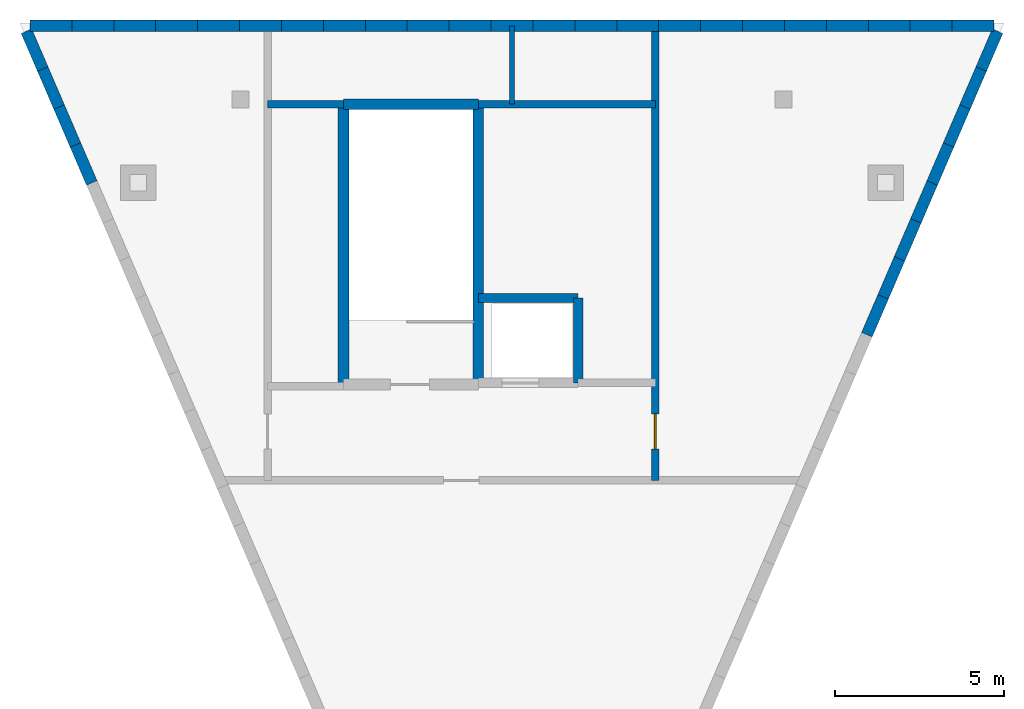
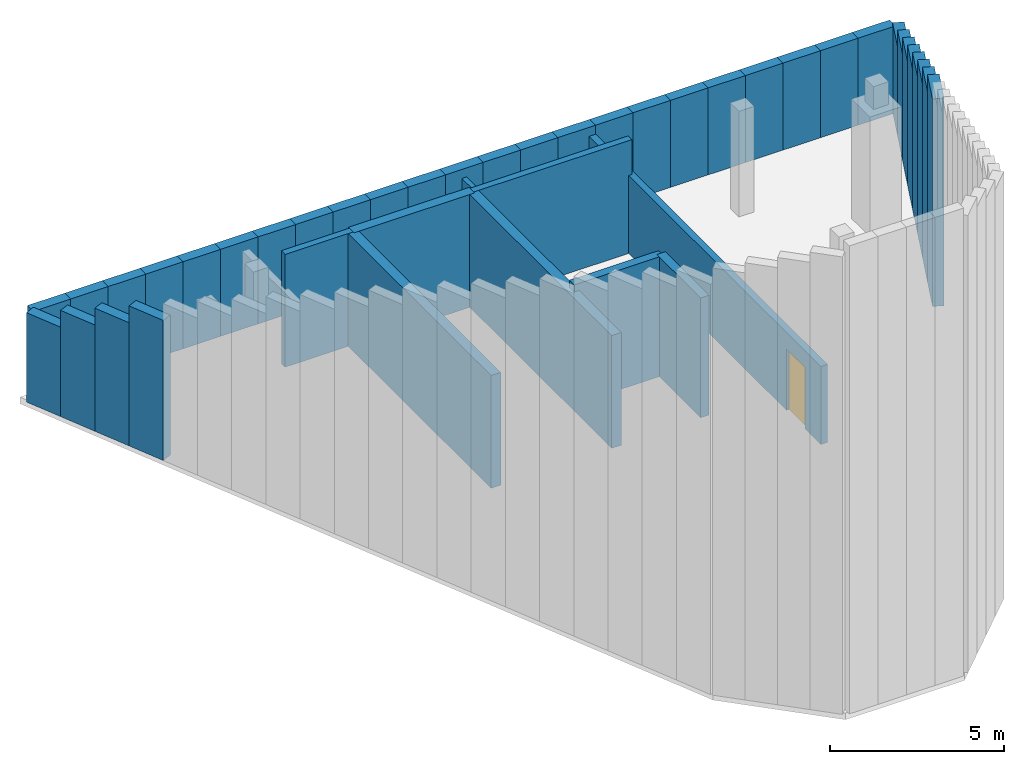
# One storey, part 2 of 3: 44 walls, 1 door, 1 opening.
"""IFC4 building model written with IfcOpenShell, lengths in metres."""

from ifc_helpers import new_model, si_unit, direction, frame, frame_2d, origin, place, context, subcontext, project, spatial, rectangle, extrude, material, layer, layer_set, type_object, element, fill, save


model = new_model("IFC4")

# Units and contexts
model_context = context("Model", 3, precision=1e-05, world=origin(), true_north=direction((0.0, 1.0)))
body_context = subcontext(model_context, "Body", "Model", "MODEL_VIEW")
ifc_project = project(units=[si_unit("LENGTHUNIT", "METRE"), si_unit("AREAUNIT", "SQUARE_METRE"), si_unit("VOLUMEUNIT", "CUBIC_METRE"), si_unit("PLANEANGLEUNIT", "RADIAN"), si_unit("MASSUNIT", "GRAM", prefix="KILO")], contexts=[model_context])

# Site, building, storey
site_placement = place(None, origin())
site = spatial("IfcSite", under=ifc_project, at=site_placement, CompositionType="ELEMENT")
building_placement = place(site_placement, origin())
building = spatial("IfcBuilding", under=site, at=building_placement, Name="Talyreon Biosciences Tower", CompositionType="ELEMENT")
storey_placement = place(building_placement, frame((0.0, 0.0, 329.800048828125)))
storey = spatial("IfcBuildingStorey", under=building, at=storey_placement, Name="L87", CompositionType="ELEMENT", Elevation=329.800048828125)

# Walls
ifc_material_1 = material(Name="Concrete C50/60", Category="concrete")
ifc_layer_1 = layer(ifc_material_1, 0.280029296875)
ifc_layer_set_1 = layer_set([ifc_layer_1], Name="Concrete C50/60")
wall_type_1 = type_object("IfcWallType", Name="CoreShearWall_280", PredefinedType="SHEAR", material=ifc_layer_set_1)
wall_1_placement = place(storey_placement, frame((67.9599609375, 52.93994140625, 0.0), z_axis=(0.0, 0.0, 1.0), x_axis=(0.0, 1.0, 0.0)))
element("IfcWall", 1, at=wall_1_placement, inside=storey, type_object=wall_type_1, Name="L87 Crown Service Lift SL1 Shaft Wall E", PredefinedType="SHEAR", context=body_context, shape_type="SweptSolid", body=[
    extrude(rectangle(XDim=2.52001953125, YDim=0.280029296875, at=frame_2d((1.260009765625, 0.0))), origin(), (0.0, 0.0, 1.0), 4.199951171875),
])
wall_2_placement = place(storey_placement, frame((65.0, 55.4599609375, 0.0), z_axis=(0.0, 0.0, 1.0), x_axis=(1.0, 0.0, 0.0)))
element("IfcWall", 2, at=wall_2_placement, inside=storey, type_object=wall_type_1, Name="L87 Crown Service Lift SL1 Shaft Wall N", PredefinedType="SHEAR", context=body_context, shape_type="SweptSolid", body=[
    extrude(rectangle(XDim=2.9599609375, YDim=0.280029296875, at=frame_2d((1.47998046875, 0.0))), origin(), (0.0, 0.0, 1.0), 4.199951171875),
])
ifc_layer_2 = layer(ifc_material_1, 0.320068359375)
ifc_layer_set_2 = layer_set([ifc_layer_2], Name="Concrete C50/60")
wall_type_2 = type_object("IfcWallType", Name="CoreShearWall_320", PredefinedType="SHEAR", material=ifc_layer_set_2)
for number, where, z_axis, x_axis, name in (
    (3, (61.0, 52.889892578125, 0.0), (0.0, 0.0, 1.0), (0.0, 1.0, 0.0), "L87 Crown Stair ST-4 Structural Wall W"),
    (4, (65.0, 52.889892578125, 0.0), (0.0, 0.0, 1.0), (0.0, 1.0, 0.0), "L87 Crown Stair ST-4 Structural Wall E"),
):
    element("IfcWall", number, at=place(storey_placement, frame(where, z_axis=z_axis, x_axis=x_axis)), inside=storey, type_object=wall_type_2, Name=name, PredefinedType="SHEAR", context=body_context, shape_type="SweptSolid", body=[
        extrude(rectangle(XDim=8.320068359375, YDim=0.320068359375, at=frame_2d((4.16015625, 0.0))), origin(), (0.0, 0.0, 1.0), 3.955322265625),
    ])
wall_3_placement = place(storey_placement, frame((61.0, 61.2099609375, 0.0), z_axis=(0.0, 0.0, 1.0), x_axis=(1.0, 0.0, 0.0)))
element("IfcWall", 5, at=wall_3_placement, inside=storey, type_object=wall_type_2, Name="L87 Crown Stair ST-4 Structural Wall N", PredefinedType="SHEAR", context=body_context, shape_type="SweptSolid", body=[
    extrude(rectangle(XDim=4.0, YDim=0.320068359375, at=frame_2d((2.0, 0.0))), origin(), (0.0, 0.0, 1.0), 3.955322265625),
])

# Wall, opening, door
ifc_material_2 = material(Name="Gypsum fireboard acoustic stud", Category="gypsum")
ifc_layer_3 = layer(ifc_material_2, 0.219970703125)
ifc_layer_set_3 = layer_set([ifc_layer_3], Name="Gypsum fireboard acoustic stud")
wall_type_3 = type_object("IfcWallType", Name="CorridorRatedPartition_220", PredefinedType="PARTITIONING", material=ifc_layer_set_3)
wall_4_placement = place(storey_placement, frame((70.25, 50.050048828125, 0.0), z_axis=(0.0, 0.0, 1.0), x_axis=(0.0, 1.0, 0.0)))
wall_4 = element("IfcWall", 6, at=wall_4_placement, inside=storey, type_object=wall_type_3, Name="L87 Interior Wall IW-L87-CCOR-E", PredefinedType="PARTITIONING", context=body_context, shape_type="SweptSolid", body=[
    extrude(rectangle(XDim=13.4814453125, YDim=0.219970703125, at=frame_2d((6.74072265625, 0.0))), origin(), (0.0, 0.0, 1.0), 2.734619140625),
])
opening_placement = place(wall_4_placement, frame((0.925048828125, 0.0, 0.0)))
opening = element("IfcOpeningElement", 7, at=opening_placement, cuts=wall_4, Name="Opening DR-L87-CHL", PredefinedType="OPENING", context=body_context, shape_type="SweptSolid", body=[
    extrude(rectangle(XDim=1.050048828125, YDim=2.14990234375, at=frame_2d((0.52490234375, 1.074951171875))), frame((0.0, 0.119873046875, 0.0), z_axis=(0.0, -1.0, 0.0), x_axis=(1.0, 0.0, 0.0)), (0.0, 0.0, 1.0), 0.239990234375),
])
ifc_material_3 = material(Name="Acoustic timber-core laboratory door", Category="wood")
door_type = type_object("IfcDoorType", Name="DryLabSingleDoor_1050x2150", OperationType="NOTDEFINED", PredefinedType="DOOR", material=ifc_material_3)
door_placement = place(opening_placement, origin())
door = element("IfcDoor", 8, at=door_placement, inside=storey, type_object=door_type, Name="L87 Interior Door DR-L87-CHL", OperationType="SINGLE_SWING_RIGHT", OverallHeight=2.14990234375, OverallWidth=1.050048828125, PredefinedType="DOOR", context=body_context, shape_type="SweptSolid", body=[
    extrude(rectangle(XDim=1.050048828125, YDim=2.14990234375, at=frame_2d((0.52490234375, 1.074951171875))), frame((0.0, 0.02490234375, 0.0), z_axis=(0.0, -1.0, 0.0), x_axis=(1.0, 0.0, 0.0)), (0.0, 0.0, 1.0), 0.050048828125),
])
fill(opening, door)

# Walls
wall_5_placement = place(storey_placement, frame((58.75, 61.2099609375, 0.0), z_axis=(0.0, 0.0, 1.0), x_axis=(1.0, 0.0, 0.0)))
element("IfcWall", 9, at=wall_5_placement, inside=storey, type_object=wall_type_3, Name="L87 Interior Wall IW-L87-CCOR-NTOPW", PredefinedType="PARTITIONING", context=body_context, shape_type="SweptSolid", body=[
    extrude(rectangle(XDim=2.25, YDim=0.219970703125, at=frame_2d((1.125, 0.0))), origin(), (0.0, 0.0, 1.0), 3.955322265625),
])
wall_6_placement = place(storey_placement, frame((65.0, 61.2099609375, 0.0), z_axis=(0.0, 0.0, 1.0), x_axis=(1.0, 0.0, 0.0)))
element("IfcWall", 10, at=wall_6_placement, inside=storey, type_object=wall_type_3, Name="L87 Interior Wall IW-L87-CCOR-NTOPE", PredefinedType="PARTITIONING", context=body_context, shape_type="SweptSolid", body=[
    extrude(rectangle(XDim=5.25, YDim=0.219970703125, at=frame_2d((2.625, 0.0))), origin(), (0.0, 0.0, 1.0), 3.955322265625),
])
ifc_material_4 = material(Name="Gypsum acoustic stud partition", Category="gypsum")
ifc_layer_4 = layer(ifc_material_4, 0.159912109375)
ifc_layer_set_4 = layer_set([ifc_layer_4], Name="Gypsum acoustic stud partition")
wall_type_4 = type_object("IfcWallType", Name="LabSeparationPartition_160", PredefinedType="PARTITIONING", material=ifc_layer_set_4)
wall_7_placement = place(storey_placement, frame((66.0, 61.2099609375, 0.0), z_axis=(0.0, 0.0, 1.0), x_axis=(0.0, 1.0, 0.0)))
element("IfcWall", 11, at=wall_7_placement, inside=storey, type_object=wall_type_4, Name="L87 Interior Wall IW-L87-CDIV-N", PredefinedType="PARTITIONING", context=body_context, shape_type="SweptSolid", body=[
    extrude(rectangle(XDim=2.321533203125, YDim=0.159912109375, at=frame_2d((1.16064453125, 0.0))), origin(), (0.0, 0.0, 1.0), 2.734619140625),
])
ifc_material_5 = material(Name="Precast concrete C45/55", Category="concrete")
ifc_layer_5 = layer(ifc_material_5, 0.340087890625)
ifc_layer_set_5 = layer_set([ifc_layer_5], Name="Precast concrete C45/55")
wall_type_5 = type_object("IfcWallType", Name="PrecastConcreteSpandrelWall_340", PredefinedType="STANDARD", material=ifc_layer_set_5)
wall_8_placement = place(storey_placement, frame((51.700439453125, 63.536376953125, 0.0), z_axis=(0.0, 0.0, 1.0), x_axis=(1.0, 0.0, 0.0)))
element("IfcWall", 12, at=wall_8_placement, inside=storey, type_object=wall_type_5, Name="L87 Slanted Crown Spandrel 00.01", PredefinedType="STANDARD", context=body_context, shape_type="SweptSolid", body=[
    extrude(rectangle(XDim=1.243408203125, YDim=0.340087890625, at=frame_2d((0.62158203125, 0.0))), origin(), (0.0, 0.0, 1.0), 3.052001953125),
])
wall_9_placement = place(storey_placement, frame((52.94384765625, 63.536376953125, 0.0), z_axis=(0.0, 0.0, 1.0), x_axis=(1.0, 0.0, 0.0)))
element("IfcWall", 13, at=wall_9_placement, inside=storey, type_object=wall_type_5, Name="L87 Slanted Crown Spandrel 00.02", PredefinedType="STANDARD", context=body_context, shape_type="SweptSolid", body=[
    extrude(rectangle(XDim=1.24365234375, YDim=0.340087890625, at=frame_2d((0.621826171875, 0.0))), origin(), (0.0, 0.0, 1.0), 3.052001953125),
])
for number, where, z_axis, x_axis, name in (
    (14, (54.1875, 63.536376953125, 0.0), (0.0, 0.0, 1.0), (1.0, 0.0, 0.0), "L87 Slanted Crown Spandrel 00.03"),
    (15, (55.430908203125, 63.536376953125, 0.0), (0.0, 0.0, 1.0), (1.0, 0.0, 0.0), "L87 Slanted Crown Spandrel 00.04"),
    (16, (56.67431640625, 63.536376953125, 0.0), (0.0, 0.0, 1.0), (1.0, 0.0, 0.0), "L87 Slanted Crown Spandrel 00.05"),
    (17, (57.917724609375, 63.536376953125, 0.0), (0.0, 0.0, 1.0), (1.0, 0.0, 0.0), "L87 Slanted Crown Spandrel 00.06"),
    (18, (59.1611328125, 63.536376953125, 0.0), (0.0, 0.0, 1.0), (1.0, 0.0, 0.0), "L87 Slanted Crown Spandrel 00.07"),
    (19, (60.404541015625, 63.536376953125, 0.0), (0.0, 0.0, 1.0), (1.0, 0.0, 0.0), "L87 Slanted Crown Spandrel 00.08"),
    (20, (61.64794921875, 63.536376953125, 0.0), (0.0, 0.0, 1.0), (1.0, 0.0, 0.0), "L87 Slanted Crown Spandrel 00.09"),
    (21, (62.891357421875, 63.536376953125, 0.0), (0.0, 0.0, 1.0), (1.0, 0.0, 0.0), "L87 Slanted Crown Spandrel 00.10"),
):
    element("IfcWall", number, at=place(storey_placement, frame(where, z_axis=z_axis, x_axis=x_axis)), inside=storey, type_object=wall_type_5, Name=name, PredefinedType="STANDARD", context=body_context, shape_type="SweptSolid", body=[
        extrude(rectangle(XDim=1.243408203125, YDim=0.340087890625, at=frame_2d((0.62158203125, 0.0))), origin(), (0.0, 0.0, 1.0), 3.052001953125),
    ])
wall_10_placement = place(storey_placement, frame((64.134765625, 63.536376953125, 0.0), z_axis=(0.0, 0.0, 1.0), x_axis=(1.0, 0.0, 0.0)))
element("IfcWall", 22, at=wall_10_placement, inside=storey, type_object=wall_type_5, Name="L87 Slanted Crown Spandrel 00.11", PredefinedType="STANDARD", context=body_context, shape_type="SweptSolid", body=[
    extrude(rectangle(XDim=1.24365234375, YDim=0.340087890625, at=frame_2d((0.621826171875, 0.0))), origin(), (0.0, 0.0, 1.0), 3.052001953125),
])
wall_11_placement = place(storey_placement, frame((65.37841796875, 63.536376953125, 0.0), z_axis=(0.0, 0.0, 1.0), x_axis=(1.0, 0.0, 0.0)))
element("IfcWall", 23, at=wall_11_placement, inside=storey, type_object=wall_type_5, Name="L87 Slanted Crown Spandrel 00.12", PredefinedType="STANDARD", context=body_context, shape_type="SweptSolid", body=[
    extrude(rectangle(XDim=1.2431640625, YDim=0.340087890625, at=frame_2d((0.62158203125, 0.0))), origin(), (0.0, 0.0, 1.0), 3.052001953125),
])
wall_12_placement = place(storey_placement, frame((66.62158203125, 63.536376953125, 0.0), z_axis=(0.0, 0.0, 1.0), x_axis=(1.0, 0.0, 0.0)))
element("IfcWall", 24, at=wall_12_placement, inside=storey, type_object=wall_type_5, Name="L87 Slanted Crown Spandrel 00.13", PredefinedType="STANDARD", context=body_context, shape_type="SweptSolid", body=[
    extrude(rectangle(XDim=1.24365234375, YDim=0.340087890625, at=frame_2d((0.621826171875, 0.0))), origin(), (0.0, 0.0, 1.0), 3.052001953125),
])
for number, where, z_axis, x_axis, name in (
    (25, (67.865234375, 63.536376953125, 0.0), (0.0, 0.0, 1.0), (1.0, 0.0, 0.0), "L87 Slanted Crown Spandrel 00.14"),
    (26, (69.108642578125, 63.536376953125, 0.0), (0.0, 0.0, 1.0), (1.0, 0.0, 0.0), "L87 Slanted Crown Spandrel 00.15"),
    (27, (70.35205078125, 63.536376953125, 0.0), (0.0, 0.0, 1.0), (1.0, 0.0, 0.0), "L87 Slanted Crown Spandrel 00.16"),
    (28, (71.595458984375, 63.536376953125, 0.0), (0.0, 0.0, 1.0), (1.0, 0.0, 0.0), "L87 Slanted Crown Spandrel 00.17"),
    (29, (72.8388671875, 63.536376953125, 0.0), (0.0, 0.0, 1.0), (1.0, 0.0, 0.0), "L87 Slanted Crown Spandrel 00.18"),
    (30, (74.082275390625, 63.536376953125, 0.0), (0.0, 0.0, 1.0), (1.0, 0.0, 0.0), "L87 Slanted Crown Spandrel 00.19"),
    (31, (75.32568359375, 63.536376953125, 0.0), (0.0, 0.0, 1.0), (1.0, 0.0, 0.0), "L87 Slanted Crown Spandrel 00.20"),
    (32, (76.569091796875, 63.536376953125, 0.0), (0.0, 0.0, 1.0), (1.0, 0.0, 0.0), "L87 Slanted Crown Spandrel 00.21"),
):
    element("IfcWall", number, at=place(storey_placement, frame(where, z_axis=z_axis, x_axis=x_axis)), inside=storey, type_object=wall_type_5, Name=name, PredefinedType="STANDARD", context=body_context, shape_type="SweptSolid", body=[
        extrude(rectangle(XDim=1.243408203125, YDim=0.340087890625, at=frame_2d((0.62158203125, 0.0))), origin(), (0.0, 0.0, 1.0), 3.052001953125),
    ])
wall_13_placement = place(storey_placement, frame((77.8125, 63.536376953125, 0.0), z_axis=(0.0, 0.0, 1.0), x_axis=(1.0, 0.0, 0.0)))
element("IfcWall", 33, at=wall_13_placement, inside=storey, type_object=wall_type_5, Name="L87 Slanted Crown Spandrel 00.22", PredefinedType="STANDARD", context=body_context, shape_type="SweptSolid", body=[
    extrude(rectangle(XDim=1.24365234375, YDim=0.340087890625, at=frame_2d((0.621826171875, 0.0))), origin(), (0.0, 0.0, 1.0), 3.052001953125),
])
wall_14_placement = place(storey_placement, frame((79.05615234375, 63.536376953125, 0.0), z_axis=(0.0, 0.0, 1.0), x_axis=(1.0, 0.0, 0.0)))
element("IfcWall", 34, at=wall_14_placement, inside=storey, type_object=wall_type_5, Name="L87 Slanted Crown Spandrel 00.23", PredefinedType="STANDARD", context=body_context, shape_type="SweptSolid", body=[
    extrude(rectangle(XDim=1.243408203125, YDim=0.340087890625, at=frame_2d((0.62158203125, 0.0))), origin(), (0.0, 0.0, 1.0), 3.052001953125),
])
wall_15_placement = place(storey_placement, frame((80.40478515625, 63.376708984375, 0.0), z_axis=(0.0, 0.0, 1.0), x_axis=(-0.395432687698, -0.918494958887, 0.0)))
element("IfcWall", 35, at=wall_15_placement, inside=storey, type_object=wall_type_5, Name="L87 Slanted Crown Spandrel 01.01", PredefinedType="STANDARD", context=body_context, shape_type="SweptSolid", body=[
    extrude(rectangle(XDim=1.22607421875, YDim=0.340087890625, at=frame_2d((0.613037109375, 0.0))), origin(), (0.0, 0.0, 1.0), 3.135986328125),
])
wall_16_placement = place(storey_placement, frame((79.919921875, 62.25048828125, 0.0), z_axis=(0.0, 0.0, 1.0), x_axis=(-0.395505017076, -0.91846381609, 0.0)))
element("IfcWall", 36, at=wall_16_placement, inside=storey, type_object=wall_type_5, Name="L87 Slanted Crown Spandrel 01.02", PredefinedType="STANDARD", context=body_context, shape_type="SweptSolid", body=[
    extrude(rectangle(XDim=1.225830078125, YDim=0.340087890625, at=frame_2d((0.61279296875, 0.0))), origin(), (0.0, 0.0, 1.0), 3.728271484375),
])
wall_17_placement = place(storey_placement, frame((79.43505859375, 61.12451171875, 0.0), z_axis=(0.0, 0.0, 1.0), x_axis=(-0.395505017076, -0.91846381609, 0.0)))
element("IfcWall", 37, at=wall_17_placement, inside=storey, type_object=wall_type_5, Name="L87 Slanted Crown Spandrel 01.03", PredefinedType="STANDARD", context=body_context, shape_type="SweptSolid", body=[
    extrude(rectangle(XDim=1.225830078125, YDim=0.340087890625, at=frame_2d((0.61279296875, 0.0))), origin(), (0.0, 0.0, 1.0), 4.320068359375),
])
wall_18_placement = place(storey_placement, frame((78.9501953125, 59.99853515625, 0.0), z_axis=(0.0, 0.0, 1.0), x_axis=(-0.395337002036, -0.918536147803, 0.0)))
element("IfcWall", 38, at=wall_18_placement, inside=storey, type_object=wall_type_5, Name="L87 Slanted Crown Spandrel 01.04", PredefinedType="STANDARD", context=body_context, shape_type="SweptSolid", body=[
    extrude(rectangle(XDim=1.225830078125, YDim=0.340087890625, at=frame_2d((0.61279296875, 0.0))), origin(), (0.0, 0.0, 1.0), 4.912109375),
])
wall_19_placement = place(storey_placement, frame((78.465576171875, 58.87255859375, 0.0), z_axis=(0.0, 0.0, 1.0), x_axis=(-0.395505017076, -0.91846381609, 0.0)))
element("IfcWall", 39, at=wall_19_placement, inside=storey, type_object=wall_type_5, Name="L87 Slanted Crown Spandrel 01.05", PredefinedType="STANDARD", context=body_context, shape_type="SweptSolid", body=[
    extrude(rectangle(XDim=1.225830078125, YDim=0.340087890625, at=frame_2d((0.61279296875, 0.0))), origin(), (0.0, 0.0, 1.0), 5.504150390625),
])
wall_20_placement = place(storey_placement, frame((77.980712890625, 57.74658203125, 0.0), z_axis=(0.0, 0.0, 1.0), x_axis=(-0.395505017076, -0.91846381609, 0.0)))
element("IfcWall", 40, at=wall_20_placement, inside=storey, type_object=wall_type_5, Name="L87 Slanted Crown Spandrel 01.06", PredefinedType="STANDARD", context=body_context, shape_type="SweptSolid", body=[
    extrude(rectangle(XDim=1.225830078125, YDim=0.340087890625, at=frame_2d((0.61279296875, 0.0))), origin(), (0.0, 0.0, 1.0), 6.09619140625),
])
wall_21_placement = place(storey_placement, frame((77.495849609375, 56.62060546875, 0.0), z_axis=(0.0, 0.0, 1.0), x_axis=(-0.395505017076, -0.91846381609, 0.0)))
element("IfcWall", 41, at=wall_21_placement, inside=storey, type_object=wall_type_5, Name="L87 Slanted Crown Spandrel 01.07", PredefinedType="STANDARD", context=body_context, shape_type="SweptSolid", body=[
    extrude(rectangle(XDim=1.225830078125, YDim=0.340087890625, at=frame_2d((0.61279296875, 0.0))), origin(), (0.0, 0.0, 1.0), 6.688232421875),
])
wall_22_placement = place(storey_placement, frame((77.010986328125, 55.49462890625, 0.0), z_axis=(0.0, 0.0, 1.0), x_axis=(-0.395337002036, -0.918536147803, 0.0)))
element("IfcWall", 42, at=wall_22_placement, inside=storey, type_object=wall_type_5, Name="L87 Slanted Crown Spandrel 01.08", PredefinedType="STANDARD", context=body_context, shape_type="SweptSolid", body=[
    extrude(rectangle(XDim=1.225830078125, YDim=0.340087890625, at=frame_2d((0.61279296875, 0.0))), origin(), (0.0, 0.0, 1.0), 7.2802734375),
])
wall_23_placement = place(storey_placement, frame((53.534423828125, 58.87255859375, 0.0), z_axis=(0.0, 0.0, 1.0), x_axis=(-0.395337002036, 0.918536147803, 0.0)))
element("IfcWall", 43, at=wall_23_placement, inside=storey, type_object=wall_type_5, Name="L87 Slanted Crown Spandrel 05.17", PredefinedType="STANDARD", context=body_context, shape_type="SweptSolid", body=[
    extrude(rectangle(XDim=1.225830078125, YDim=0.340087890625, at=frame_2d((0.61279296875, 0.0))), origin(), (0.0, 0.0, 1.0), 4.912109375),
])
wall_24_placement = place(storey_placement, frame((53.0498046875, 59.99853515625, 0.0), z_axis=(0.0, 0.0, 1.0), x_axis=(-0.395505017076, 0.91846381609, 0.0)))
element("IfcWall", 44, at=wall_24_placement, inside=storey, type_object=wall_type_5, Name="L87 Slanted Crown Spandrel 05.18", PredefinedType="STANDARD", context=body_context, shape_type="SweptSolid", body=[
    extrude(rectangle(XDim=1.225830078125, YDim=0.340087890625, at=frame_2d((0.61279296875, 0.0))), origin(), (0.0, 0.0, 1.0), 4.320068359375),
])
wall_25_placement = place(storey_placement, frame((52.56494140625, 61.12451171875, 0.0), z_axis=(0.0, 0.0, 1.0), x_axis=(-0.395505017076, 0.91846381609, 0.0)))
element("IfcWall", 45, at=wall_25_placement, inside=storey, type_object=wall_type_5, Name="L87 Slanted Crown Spandrel 05.19", PredefinedType="STANDARD", context=body_context, shape_type="SweptSolid", body=[
    extrude(rectangle(XDim=1.225830078125, YDim=0.340087890625, at=frame_2d((0.61279296875, 0.0))), origin(), (0.0, 0.0, 1.0), 3.728271484375),
])
wall_26_placement = place(storey_placement, frame((52.080078125, 62.25048828125, 0.0), z_axis=(0.0, 0.0, 1.0), x_axis=(-0.395432687698, 0.918494958887, 0.0)))
element("IfcWall", 46, at=wall_26_placement, inside=storey, type_object=wall_type_5, Name="L87 Slanted Crown Spandrel 05.20", PredefinedType="STANDARD", context=body_context, shape_type="SweptSolid", body=[
    extrude(rectangle(XDim=1.22607421875, YDim=0.340087890625, at=frame_2d((0.613037109375, 0.0))), origin(), (0.0, 0.0, 1.0), 3.135986328125),
])

save(model, "model.ifc")
